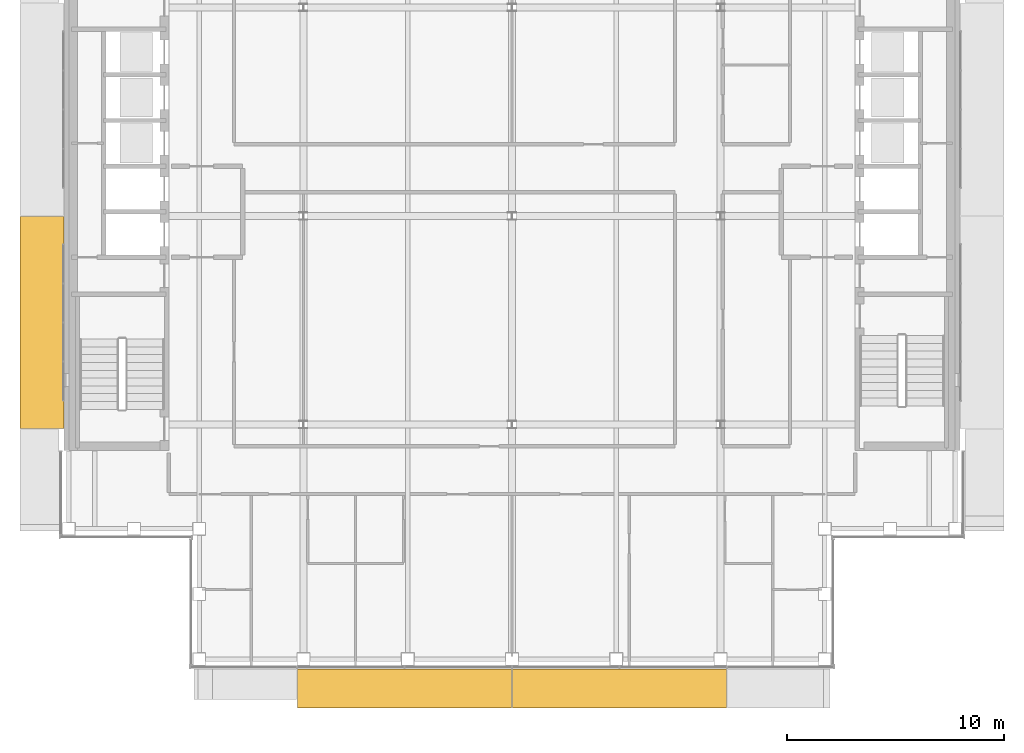
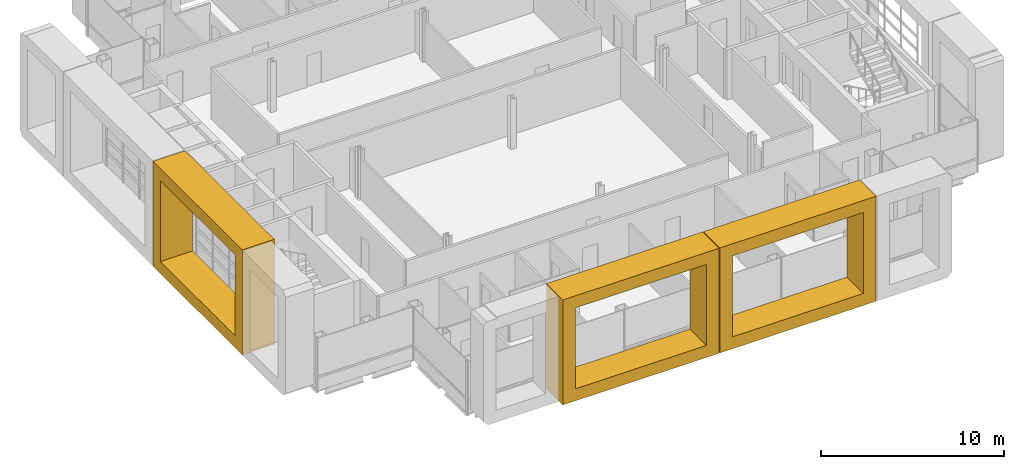
# One storey, part 15 of 21: 3 coverings.
"""IFC4 building model written with IfcOpenShell, lengths in metres."""

from ifc_helpers import new_model, si_unit, direction, frame, origin, place, context, subcontext, project, spatial, polyline, outline, extrude, material, type_object, element, save


model = new_model("IFC4")

# Units and contexts
model_context = context("Model", 3, precision=1e-05, world=origin(), true_north=direction((0.0, 1.0)))
body_context = subcontext(model_context, "Body", "Model", "MODEL_VIEW")
ifc_project = project(units=[si_unit("LENGTHUNIT", "METRE"), si_unit("AREAUNIT", "SQUARE_METRE"), si_unit("VOLUMEUNIT", "CUBIC_METRE"), si_unit("PLANEANGLEUNIT", "RADIAN"), si_unit("MASSUNIT", "GRAM", prefix="KILO")], contexts=[model_context])

# Site, building, storey
site_placement = place(None, origin())
site = spatial("IfcSite", under=ifc_project, at=site_placement, CompositionType="ELEMENT")
building_placement = place(site_placement, origin())
building = spatial("IfcBuilding", under=site, at=building_placement, Name="Cobrizo Arcos Hotel Tower", CompositionType="ELEMENT")
storey_placement = place(building_placement, frame((0.0, 0.0, 248.0)))
storey = spatial("IfcBuildingStorey", under=building, at=storey_placement, Name="L65", CompositionType="ELEMENT", Elevation=248.0)

# Coverings
ifc_material = material(Name="Aluminium 6063-T6 anodised bronze", Category="aluminium")
covering_type_1 = type_object("IfcCoveringType", Name="FIN-F 1800", PredefinedType="CLADDING", material=ifc_material)
for number, where, z_axis, x_axis, name in (
    (1, (-9.875, -20.85009765625, 0.0), (0.0, -1.0, 0.0), (1.0, 0.0, 0.0), "Fin frame 412"),
    (2, (0.02490234375, -20.85009765625, 0.0), (0.0, -1.0, 0.0), (1.0, 0.0, 0.0), "Fin frame 413"),
):
    element("IfcCovering", number, at=place(storey_placement, frame(where, z_axis=z_axis, x_axis=x_axis)), inside=storey, type_object=covering_type_1, Name=name, PredefinedType="CLADDING", context=body_context, shape_type="SweptSolid", body=[
        extrude(outline(polyline([(0.0, 7.0), (0.0, 0.0), (9.85009765625, 0.0), (9.85009765625, 7.0), (0.0, 7.0)]), holes=[polyline([(9.050048828125, 0.800048828125), (0.800048828125, 0.800048828125), (0.800048828125, 6.199951171875), (9.050048828125, 6.199951171875), (9.050048828125, 0.800048828125)])]), origin(), (0.0, 0.0, 1.0), 1.7998046875),
    ])
covering_type_2 = type_object("IfcCoveringType", Name="FIN-F 2025", PredefinedType="CLADDING", material=ifc_material)
covering_placement = place(storey_placement, frame((-20.625, -0.02490234375, 0.0), z_axis=(-1.0, 0.0, 0.0), x_axis=(0.0, -1.0, 0.0)))
element("IfcCovering", 3, at=covering_placement, inside=storey, type_object=covering_type_2, Name="Fin frame 429", PredefinedType="CLADDING", context=body_context, shape_type="SweptSolid", body=[
    extrude(outline(polyline([(0.0, 7.0), (0.0, 0.0), (9.75, 0.0), (9.75, 7.0), (0.0, 7.0)]), holes=[polyline([(8.949951171875, 0.800048828125), (0.800048828125, 0.800048828125), (0.800048828125, 6.199951171875), (8.949951171875, 6.199951171875), (8.949951171875, 0.800048828125)])]), origin(), (0.0, 0.0, 1.0), 2.02490234375),
])

save(model, "model.ifc")
